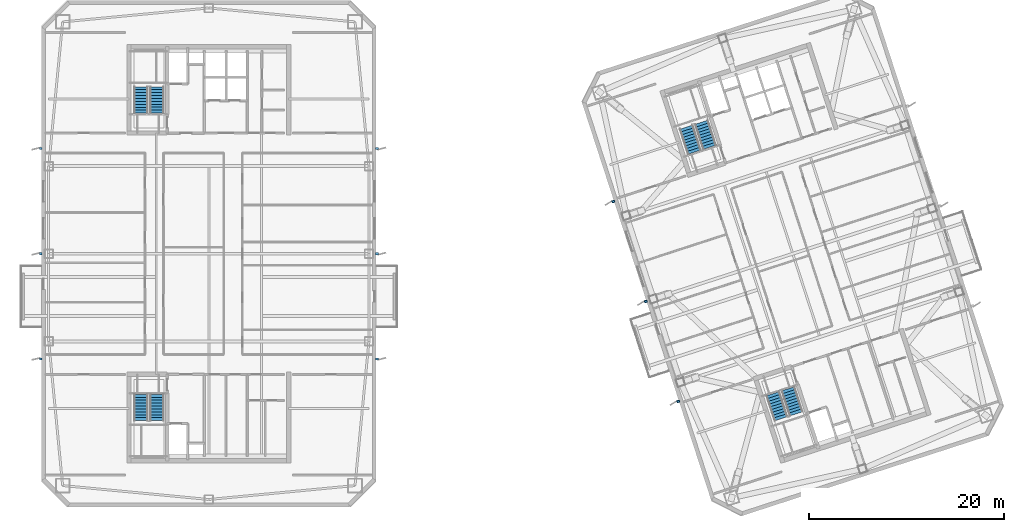
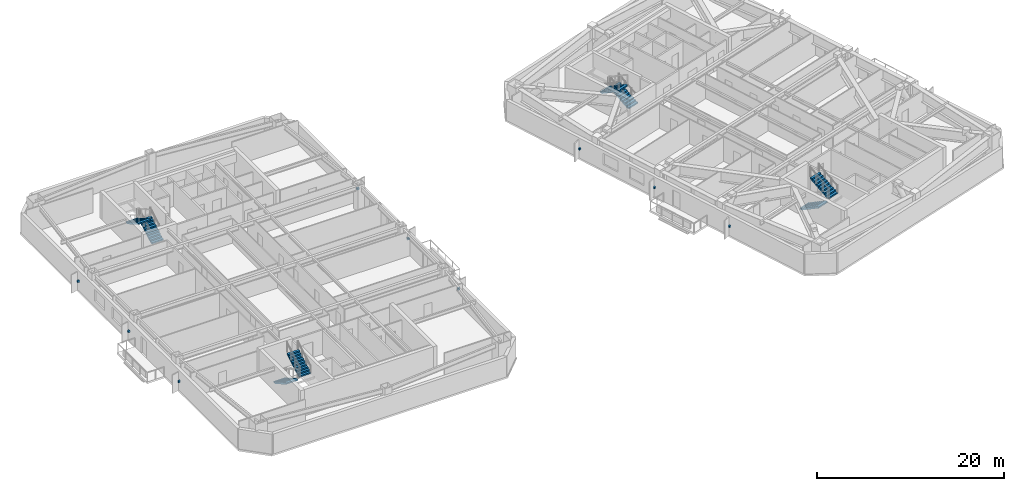
# One storey, part 12 of 18: 9 discrete accessories, 8 stair flights, 4 elements without a shape of their own.
"""IFC4 building model written with IfcOpenShell, lengths in metres."""

from ifc_helpers import new_model, si_unit, direction, frame, origin, origin_2d, place, context, subcontext, project, spatial, polyline, rectangle, outline, extrude, material, type_object, element, aggregate, save


model = new_model("IFC4")

# Units and contexts
model_context = context("Model", 3, precision=1e-05, world=origin(), true_north=direction((0.0, 1.0)))
body_context = subcontext(model_context, "Body", "Model", "MODEL_VIEW")
ifc_project = project(units=[si_unit("LENGTHUNIT", "METRE"), si_unit("AREAUNIT", "SQUARE_METRE"), si_unit("VOLUMEUNIT", "CUBIC_METRE"), si_unit("PLANEANGLEUNIT", "RADIAN"), si_unit("MASSUNIT", "GRAM", prefix="KILO")], contexts=[model_context])

# Site, building, storey
site_placement = place(None, origin())
site = spatial("IfcSite", under=ifc_project, at=site_placement, CompositionType="ELEMENT")
building_placement = place(site_placement, origin())
building = spatial("IfcBuilding", under=site, at=building_placement, Name="Qiaolan Cultural Towers", CompositionType="ELEMENT")
storey_placement = place(building_placement, frame((0.0, 0.0, 195.5)))
storey = spatial("IfcBuildingStorey", under=building, at=storey_placement, Name="L52", CompositionType="ELEMENT", Elevation=195.5)

# Stair, stair flights
ifc_material_1 = material(Name="Concrete C45", Category="concrete")
stair_type = type_object("IfcStairType", Name="STR-CORE-1500", PredefinedType="HALF_TURN_STAIR", material=ifc_material_1)
stair_1_placement = place(storey_placement, origin())
stair_1 = element("IfcStair", 1, at=stair_1_placement, inside=storey, type_object=stair_type, Name="L52 Smokeproof Exit Stair ST-W1", PredefinedType="HALF_TURN_STAIR")
ifc_material_2 = material(Name="Concrete C45", Category="concrete")
stair_flight_type = type_object("IfcStairFlightType", Name="STR-CORE-1500-FL", PredefinedType="STRAIGHT", material=ifc_material_2)
stair_flight_1_placement = place(storey_placement, frame((23.02001953125, 19.550048828125, 0.0), z_axis=(0.0, 0.0, 1.0), x_axis=(0.0, -1.0, 0.0)))
stair_flight_1 = element("IfcStairFlight", 2, at=stair_flight_1_placement, type_object=stair_flight_type, Name="ST-W1 flight 1", NumberOfRisers=10, NumberOfTreads=9, PredefinedType="STRAIGHT", RiserHeight=0.1725, TreadLength=0.3, context=body_context, shape_type="SweptSolid", body=[
    extrude(outline(polyline([(0.0, 0.0), (0.0, 0.172607421875), (0.300048828125, 0.172607421875), (0.300048828125, 0.344970703125), (0.60009765625, 0.344970703125), (0.60009765625, 0.517578125), (0.89990234375, 0.517578125), (0.89990234375, 0.68994140625), (1.199951171875, 0.68994140625), (1.199951171875, 0.862548828125), (1.5, 0.862548828125), (1.5, 1.034912109375), (1.800048828125, 1.034912109375), (1.800048828125, 1.20751953125), (2.10009765625, 1.20751953125), (2.10009765625, 1.3798828125), (2.39990234375, 1.3798828125), (2.39990234375, 1.552490234375), (2.699951171875, 1.552490234375), (2.699951171875, 1.72509765625), (2.699951171875, 1.379638671875), (0.30078125, 0.0), (0.0, 0.0)])), frame((0.0, 0.719970703125, 0.0), z_axis=(0.0, -1.0, 0.0), x_axis=(1.0, 0.0, 0.0)), (0.0, 0.0, 1.0), 1.43994140625),
])
stair_flight_2_placement = place(storey_placement, frame((24.659912109375, 16.85009765625, 1.72509765625), z_axis=(0.0, 0.0, 1.0), x_axis=(0.0, 1.0, 0.0)))
stair_flight_2 = element("IfcStairFlight", 3, at=stair_flight_2_placement, type_object=stair_flight_type, Name="ST-W1 flight 2", NumberOfRisers=10, NumberOfTreads=9, PredefinedType="STRAIGHT", RiserHeight=0.1725, TreadLength=0.3, context=body_context, shape_type="SweptSolid", body=[
    extrude(outline(polyline([(0.0, 0.0), (0.0, 0.172607421875), (0.300048828125, 0.172607421875), (0.300048828125, 0.344970703125), (0.60009765625, 0.344970703125), (0.60009765625, 0.517578125), (0.89990234375, 0.517578125), (0.89990234375, 0.68994140625), (1.199951171875, 0.68994140625), (1.199951171875, 0.862548828125), (1.5, 0.862548828125), (1.5, 1.034912109375), (1.800048828125, 1.034912109375), (1.800048828125, 1.20751953125), (2.10009765625, 1.20751953125), (2.10009765625, 1.3798828125), (2.39990234375, 1.3798828125), (2.39990234375, 1.552490234375), (2.699951171875, 1.552490234375), (2.699951171875, 1.72509765625), (2.699951171875, 1.379638671875), (0.30078125, 0.0), (0.0, 0.0)])), frame((0.0, 0.719970703125, 0.0), z_axis=(0.0, -1.0, 0.0), x_axis=(1.0, 0.0, 0.0)), (0.0, 0.0, 1.0), 1.43994140625),
])
aggregate(stair_1, [stair_flight_1, stair_flight_2])

stair_2_placement = place(storey_placement, origin())
stair_2 = element("IfcStair", 4, at=stair_2_placement, inside=storey, type_object=stair_type, Name="L52 Smokeproof Exit Stair ST-W2", PredefinedType="HALF_TURN_STAIR")
stair_flight_3_placement = place(storey_placement, frame((24.659912109375, 48.449951171875, 0.0), z_axis=(0.0, 0.0, 1.0), x_axis=(0.0, 1.0, 0.0)))
stair_flight_3 = element("IfcStairFlight", 5, at=stair_flight_3_placement, type_object=stair_flight_type, Name="ST-W2 flight 1", NumberOfRisers=10, NumberOfTreads=9, PredefinedType="STRAIGHT", RiserHeight=0.1725, TreadLength=0.3, context=body_context, shape_type="SweptSolid", body=[
    extrude(outline(polyline([(0.0, 0.0), (0.0, 0.172607421875), (0.300048828125, 0.172607421875), (0.300048828125, 0.344970703125), (0.60009765625, 0.344970703125), (0.60009765625, 0.517578125), (0.89990234375, 0.517578125), (0.89990234375, 0.68994140625), (1.199951171875, 0.68994140625), (1.199951171875, 0.862548828125), (1.5, 0.862548828125), (1.5, 1.034912109375), (1.800048828125, 1.034912109375), (1.800048828125, 1.20751953125), (2.10009765625, 1.20751953125), (2.10009765625, 1.3798828125), (2.39990234375, 1.3798828125), (2.39990234375, 1.552490234375), (2.699951171875, 1.552490234375), (2.699951171875, 1.72509765625), (2.699951171875, 1.379638671875), (0.30078125, 0.0), (0.0, 0.0)])), frame((0.0, 0.719970703125, 0.0), z_axis=(0.0, -1.0, 0.0), x_axis=(1.0, 0.0, 0.0)), (0.0, 0.0, 1.0), 1.43994140625),
])
stair_flight_4_placement = place(storey_placement, frame((23.02001953125, 51.14990234375, 1.72509765625), z_axis=(0.0, 0.0, 1.0), x_axis=(0.0, -1.0, 0.0)))
stair_flight_4 = element("IfcStairFlight", 6, at=stair_flight_4_placement, type_object=stair_flight_type, Name="ST-W2 flight 2", NumberOfRisers=10, NumberOfTreads=9, PredefinedType="STRAIGHT", RiserHeight=0.1725, TreadLength=0.3, context=body_context, shape_type="SweptSolid", body=[
    extrude(outline(polyline([(0.0, 0.0), (0.0, 0.172607421875), (0.300048828125, 0.172607421875), (0.300048828125, 0.344970703125), (0.60009765625, 0.344970703125), (0.60009765625, 0.517578125), (0.89990234375, 0.517578125), (0.89990234375, 0.68994140625), (1.199951171875, 0.68994140625), (1.199951171875, 0.862548828125), (1.5, 0.862548828125), (1.5, 1.034912109375), (1.800048828125, 1.034912109375), (1.800048828125, 1.20751953125), (2.10009765625, 1.20751953125), (2.10009765625, 1.3798828125), (2.39990234375, 1.3798828125), (2.39990234375, 1.552490234375), (2.699951171875, 1.552490234375), (2.699951171875, 1.72509765625), (2.699951171875, 1.379638671875), (0.30078125, 0.0), (0.0, 0.0)])), frame((0.0, 0.719970703125, 0.0), z_axis=(0.0, -1.0, 0.0), x_axis=(1.0, 0.0, 0.0)), (0.0, 0.0, 1.0), 1.43994140625),
])
aggregate(stair_2, [stair_flight_3, stair_flight_4])

stair_3_placement = place(storey_placement, origin())
stair_3 = element("IfcStair", 7, at=stair_3_placement, inside=storey, type_object=stair_type, Name="L52 Smokeproof Exit Stair ST-E1", PredefinedType="HALF_TURN_STAIR")
stair_flight_5_placement = place(storey_placement, frame((87.96484375, 19.6171875, 0.0), z_axis=(0.0, 0.0, 1.0), x_axis=(0.309016994375, -0.951056516295, 0.0)))
stair_flight_5 = element("IfcStairFlight", 8, at=stair_flight_5_placement, type_object=stair_flight_type, Name="ST-E1 flight 1", NumberOfRisers=10, NumberOfTreads=9, PredefinedType="STRAIGHT", RiserHeight=0.1725, TreadLength=0.3, context=body_context, shape_type="SweptSolid", body=[
    extrude(outline(polyline([(0.0, 0.0), (0.0, 0.172607421875), (0.300048828125, 0.172607421875), (0.300048828125, 0.344970703125), (0.60009765625, 0.344970703125), (0.60009765625, 0.517578125), (0.89990234375, 0.517578125), (0.89990234375, 0.68994140625), (1.199951171875, 0.68994140625), (1.199951171875, 0.862548828125), (1.5, 0.862548828125), (1.5, 1.034912109375), (1.800048828125, 1.034912109375), (1.800048828125, 1.20751953125), (2.10009765625, 1.20751953125), (2.10009765625, 1.3798828125), (2.39990234375, 1.3798828125), (2.39990234375, 1.552490234375), (2.699951171875, 1.552490234375), (2.699951171875, 1.72509765625), (2.699951171875, 1.379638671875), (0.30078125, 0.0), (0.0, 0.0)])), frame((0.0, 0.719970703125, 0.0), z_axis=(0.0, -1.0, 0.0), x_axis=(1.0, 0.0, 0.0)), (0.0, 0.0, 1.0), 1.43994140625),
])
stair_flight_6_placement = place(storey_placement, frame((90.359130859375, 17.55615234375, 1.72509765625), z_axis=(0.0, 0.0, 1.0), x_axis=(-0.309016994375, 0.951056516295, 0.0)))
stair_flight_6 = element("IfcStairFlight", 9, at=stair_flight_6_placement, type_object=stair_flight_type, Name="ST-E1 flight 2", NumberOfRisers=10, NumberOfTreads=9, PredefinedType="STRAIGHT", RiserHeight=0.1725, TreadLength=0.3, context=body_context, shape_type="SweptSolid", body=[
    extrude(outline(polyline([(0.0, 0.0), (0.0, 0.172607421875), (0.300048828125, 0.172607421875), (0.300048828125, 0.344970703125), (0.60009765625, 0.344970703125), (0.60009765625, 0.517578125), (0.89990234375, 0.517578125), (0.89990234375, 0.68994140625), (1.199951171875, 0.68994140625), (1.199951171875, 0.862548828125), (1.5, 0.862548828125), (1.5, 1.034912109375), (1.800048828125, 1.034912109375), (1.800048828125, 1.20751953125), (2.10009765625, 1.20751953125), (2.10009765625, 1.3798828125), (2.39990234375, 1.3798828125), (2.39990234375, 1.552490234375), (2.699951171875, 1.552490234375), (2.699951171875, 1.72509765625), (2.699951171875, 1.379638671875), (0.30078125, 0.0), (0.0, 0.0)])), frame((0.0, 0.719970703125, 0.0), z_axis=(0.0, -1.0, 0.0), x_axis=(1.0, 0.0, 0.0)), (0.0, 0.0, 1.0), 1.43994140625),
])
aggregate(stair_3, [stair_flight_5, stair_flight_6])

stair_4_placement = place(storey_placement, origin())
stair_4 = element("IfcStair", 10, at=stair_4_placement, inside=storey, type_object=stair_type, Name="L52 Smokeproof Exit Stair ST-E2", PredefinedType="HALF_TURN_STAIR")
stair_flight_7_placement = place(storey_placement, frame((81.459228515625, 44.946533203125, 0.0), z_axis=(0.0, 0.0, 1.0), x_axis=(-0.309016994375, 0.951056516295, 0.0)))
stair_flight_7 = element("IfcStairFlight", 11, at=stair_flight_7_placement, type_object=stair_flight_type, Name="ST-E2 flight 1", NumberOfRisers=10, NumberOfTreads=9, PredefinedType="STRAIGHT", RiserHeight=0.1725, TreadLength=0.3, context=body_context, shape_type="SweptSolid", body=[
    extrude(outline(polyline([(0.0, 0.0), (0.0, 0.172607421875), (0.300048828125, 0.172607421875), (0.300048828125, 0.344970703125), (0.60009765625, 0.344970703125), (0.60009765625, 0.517578125), (0.89990234375, 0.517578125), (0.89990234375, 0.68994140625), (1.199951171875, 0.68994140625), (1.199951171875, 0.862548828125), (1.5, 0.862548828125), (1.5, 1.034912109375), (1.800048828125, 1.034912109375), (1.800048828125, 1.20751953125), (2.10009765625, 1.20751953125), (2.10009765625, 1.3798828125), (2.39990234375, 1.3798828125), (2.39990234375, 1.552490234375), (2.699951171875, 1.552490234375), (2.699951171875, 1.72509765625), (2.699951171875, 1.379638671875), (0.30078125, 0.0), (0.0, 0.0)])), frame((0.0, 0.719970703125, 0.0), z_axis=(0.0, -1.0, 0.0), x_axis=(1.0, 0.0, 0.0)), (0.0, 0.0, 1.0), 1.43994140625),
])
stair_flight_8_placement = place(storey_placement, frame((79.065185546875, 47.007568359375, 1.72509765625), z_axis=(0.0, 0.0, 1.0), x_axis=(0.309016994375, -0.951056516295, 0.0)))
stair_flight_8 = element("IfcStairFlight", 12, at=stair_flight_8_placement, type_object=stair_flight_type, Name="ST-E2 flight 2", NumberOfRisers=10, NumberOfTreads=9, PredefinedType="STRAIGHT", RiserHeight=0.1725, TreadLength=0.3, context=body_context, shape_type="SweptSolid", body=[
    extrude(outline(polyline([(0.0, 0.0), (0.0, 0.172607421875), (0.300048828125, 0.172607421875), (0.300048828125, 0.344970703125), (0.60009765625, 0.344970703125), (0.60009765625, 0.517578125), (0.89990234375, 0.517578125), (0.89990234375, 0.68994140625), (1.199951171875, 0.68994140625), (1.199951171875, 0.862548828125), (1.5, 0.862548828125), (1.5, 1.034912109375), (1.800048828125, 1.034912109375), (1.800048828125, 1.20751953125), (2.10009765625, 1.20751953125), (2.10009765625, 1.3798828125), (2.39990234375, 1.3798828125), (2.39990234375, 1.552490234375), (2.699951171875, 1.552490234375), (2.699951171875, 1.72509765625), (2.699951171875, 1.379638671875), (0.30078125, 0.0), (0.0, 0.0)])), frame((0.0, 0.719970703125, 0.0), z_axis=(0.0, -1.0, 0.0), x_axis=(1.0, 0.0, 0.0)), (0.0, 0.0, 1.0), 1.43994140625),
])
aggregate(stair_4, [stair_flight_7, stair_flight_8])

# Discrete accessories
ifc_material_3 = material(Name="Stainless Steel S31608 Facade Anchor Bracket", Category="steel")
discrete_accessory_type = type_object("IfcDiscreteAccessoryType", Name="ACC-BRK-SS", PredefinedType="BRACKET", material=ifc_material_3)
for number, where, z_axis, x_axis, name in (
    (13, (12.719970703125, 23.199951171875, 1.18505859375), (0.0, 0.0, 1.0), (1.0, 0.0, 0.0), "L52 T1 Facade Fin Anchor Bracket W1"),
    (14, (12.719970703125, 34.0, 1.18505859375), (0.0, 0.0, 1.0), (1.0, 0.0, 0.0), "L52 T1 Facade Fin Anchor Bracket W2"),
    (15, (12.719970703125, 44.800048828125, 1.18505859375), (0.0, 0.0, 1.0), (1.0, 0.0, 0.0), "L52 T1 Facade Fin Anchor Bracket W3"),
    (16, (47.280029296875, 23.199951171875, 1.18505859375), (0.0, 0.0, 1.0), (1.0, 0.0, 0.0), "L52 T1 Facade Fin Anchor Bracket E1"),
    (17, (47.280029296875, 34.0, 1.18505859375), (0.0, 0.0, 1.0), (1.0, 0.0, 0.0), "L52 T1 Facade Fin Anchor Bracket E2"),
    (18, (47.280029296875, 44.800048828125, 1.18505859375), (0.0, 0.0, 1.0), (1.0, 0.0, 0.0), "L52 T1 Facade Fin Anchor Bracket E3"),
    (19, (78.234619140625, 18.8212890625, 1.18505859375), (0.0, 0.0, 1.0), (0.951056516295, 0.309016994375, 0.0), "L52 T2 Facade Fin Anchor Bracket W1"),
    (20, (74.897216796875, 29.0927734375, 1.18505859375), (0.0, 0.0, 1.0), (0.951056516295, 0.309016994375, 0.0), "L52 T2 Facade Fin Anchor Bracket W2"),
    (21, (71.559814453125, 39.3642578125, 1.18505859375), (0.0, 0.0, 1.0), (0.951056516295, 0.309016994375, 0.0), "L52 T2 Facade Fin Anchor Bracket W3"),
):
    element("IfcDiscreteAccessory", number, at=place(storey_placement, frame(where, z_axis=z_axis, x_axis=x_axis)), inside=storey, type_object=discrete_accessory_type, Name=name, PredefinedType="BRACKET", context=body_context, shape_type="SweptSolid", body=[
        extrude(rectangle(XDim=0.280029296875, YDim=0.219970703125, at=origin_2d()), origin(), (0.0, 0.0, 1.0), 0.239990234375),
    ])

save(model, "model.ifc")
